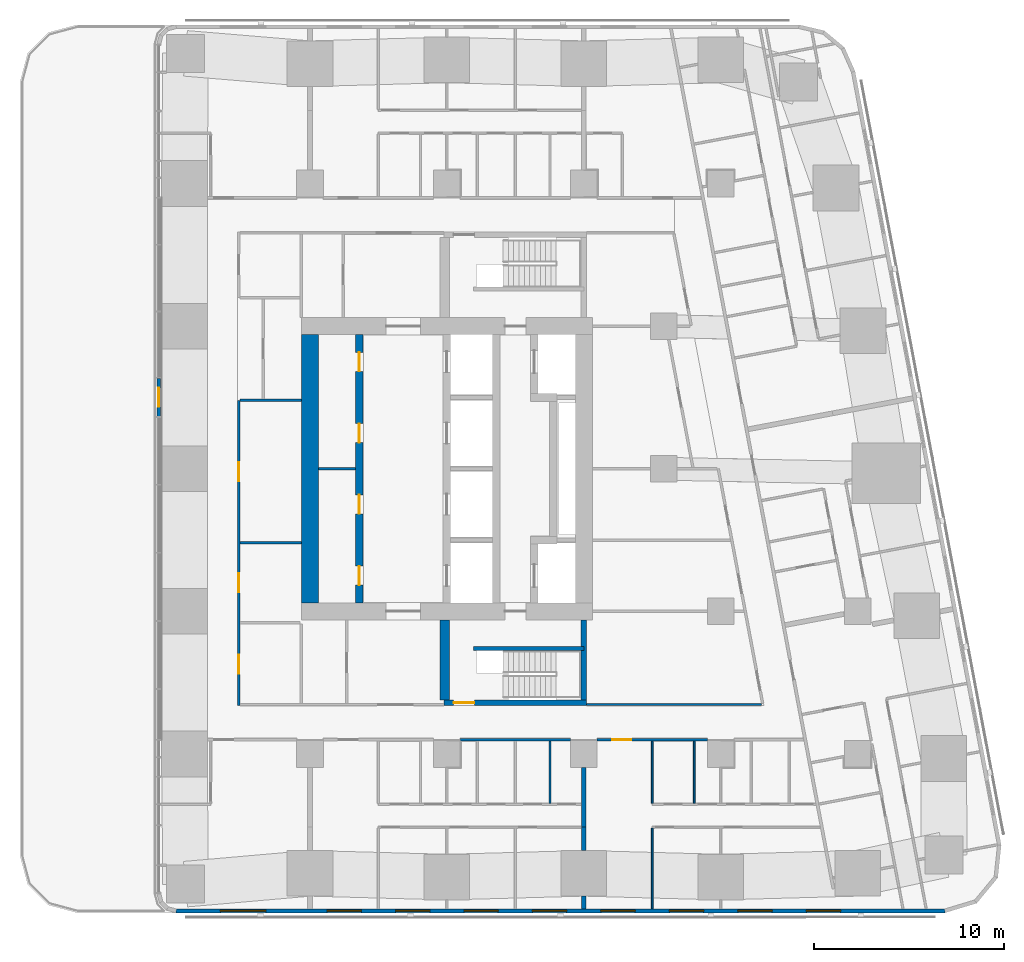
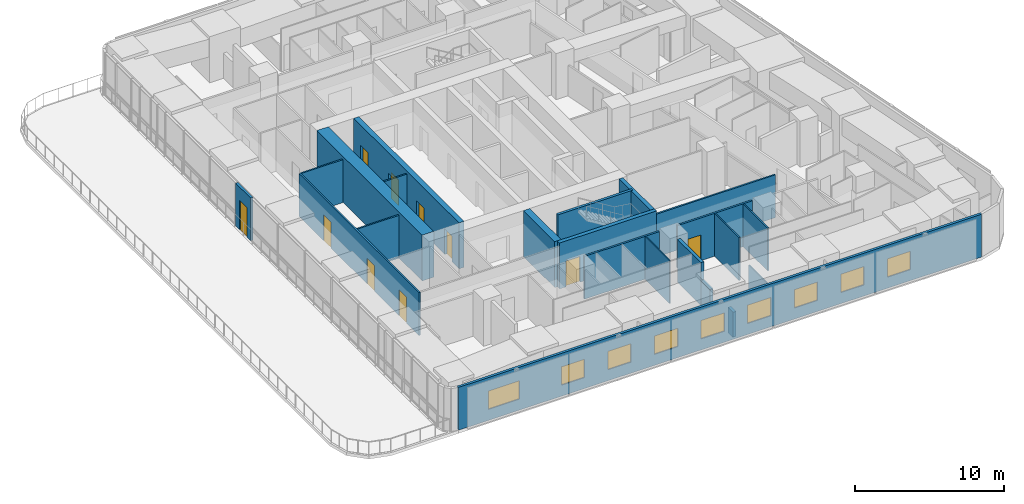
# One storey, part 8 of 17: 22 walls, 10 doors, 9 windows, 19 openings.
"""IFC4 building model written with IfcOpenShell, lengths in metres."""

from ifc_helpers import new_model, si_unit, direction, frame, frame_2d, origin, place, context, subcontext, project, spatial, rectangle, extrude, material, layer, layer_set, type_object, element, fill, save


model = new_model("IFC4")

# Units and contexts
model_context = context("Model", 3, precision=1e-05, world=origin(), true_north=direction((0.0, 1.0)))
body_context = subcontext(model_context, "Body", "Model", "MODEL_VIEW")
ifc_project = project(units=[si_unit("LENGTHUNIT", "METRE"), si_unit("AREAUNIT", "SQUARE_METRE"), si_unit("VOLUMEUNIT", "CUBIC_METRE"), si_unit("PLANEANGLEUNIT", "RADIAN"), si_unit("MASSUNIT", "GRAM", prefix="KILO")], contexts=[model_context])

# Site, building, storey
site_placement = place(None, origin())
site = spatial("IfcSite", under=ifc_project, at=site_placement, CompositionType="ELEMENT")
building_placement = place(site_placement, origin())
building = spatial("IfcBuilding", under=site, at=building_placement, Name="Sheger Commons Tower", CompositionType="ELEMENT")
storey_placement = place(building_placement, frame((0.0, 0.0, 193.699951171875)))
storey = spatial("IfcBuildingStorey", under=building, at=storey_placement, Name="L49", CompositionType="ELEMENT", Elevation=193.699951171875)

# Wall, openings, doors
ifc_material_1 = material(Name="Concrete C50/60", Category="concrete")
ifc_layer_1 = layer(ifc_material_1, 0.39990234375)
ifc_layer_set_1 = layer_set([ifc_layer_1], Name="CORE INNER WALL 400")
wall_type_1 = type_object("IfcWallType", Name="CORE INNER WALL 400", PredefinedType="SHEAR", material=ifc_layer_set_1)
wall_1_placement = place(storey_placement, frame((17.0, 15.449951171875, 0.0), z_axis=(0.0, 0.0, 1.0), x_axis=(0.0, 1.0, 0.0)))
wall_1 = element("IfcWall", 1, at=wall_1_placement, inside=storey, type_object=wall_type_1, Name="Core inner wall A L49", PredefinedType="SHEAR", context=body_context, shape_type="SweptSolid", body=[
    extrude(rectangle(XDim=14.10009765625, YDim=0.39990234375, at=frame_2d((7.050048828125, 0.0))), origin(), (0.0, 0.0, 1.0), 3.75),
])
opening_1_placement = place(wall_1_placement, frame((0.925048828125, 0.0, 0.0)))
opening_1 = element("IfcOpeningElement", 2, at=opening_1_placement, cuts=wall_1, Name="Opening D4", PredefinedType="OPENING", context=body_context, shape_type="SweptSolid", body=[
    extrude(rectangle(XDim=1.0, YDim=2.10009765625, at=frame_2d((0.5, 1.050048828125))), frame((0.0, 0.2099609375, 0.0), z_axis=(0.0, -1.0, 0.0), x_axis=(1.0, 0.0, 0.0)), (0.0, 0.0, 1.0), 0.419921875),
])
opening_2_placement = place(wall_1_placement, frame((4.675048828125, 0.0, 0.0)))
opening_2 = element("IfcOpeningElement", 3, at=opening_2_placement, cuts=wall_1, Name="Opening D4", PredefinedType="OPENING", context=body_context, shape_type="SweptSolid", body=[
    extrude(rectangle(XDim=1.0, YDim=2.10009765625, at=frame_2d((0.5, 1.050048828125))), frame((0.0, 0.2099609375, 0.0), z_axis=(0.0, -1.0, 0.0), x_axis=(1.0, 0.0, 0.0)), (0.0, 0.0, 1.0), 0.419921875),
])
opening_3_placement = place(wall_1_placement, frame((8.425048828125, 0.0, 0.0)))
opening_3 = element("IfcOpeningElement", 4, at=opening_3_placement, cuts=wall_1, Name="Opening D4", PredefinedType="OPENING", context=body_context, shape_type="SweptSolid", body=[
    extrude(rectangle(XDim=1.0, YDim=2.10009765625, at=frame_2d((0.5, 1.050048828125))), frame((0.0, 0.2099609375, 0.0), z_axis=(0.0, -1.0, 0.0), x_axis=(1.0, 0.0, 0.0)), (0.0, 0.0, 1.0), 0.419921875),
])
opening_4_placement = place(wall_1_placement, frame((12.175048828125, 0.0, 0.0)))
opening_4 = element("IfcOpeningElement", 5, at=opening_4_placement, cuts=wall_1, Name="Opening D4", PredefinedType="OPENING", context=body_context, shape_type="SweptSolid", body=[
    extrude(rectangle(XDim=1.0, YDim=2.10009765625, at=frame_2d((0.5, 1.050048828125))), frame((0.0, 0.2099609375, 0.0), z_axis=(0.0, -1.0, 0.0), x_axis=(1.0, 0.0, 0.0)), (0.0, 0.0, 1.0), 0.419921875),
])
ifc_material_2 = material(Name="Steel door set, fire rated", Category="steel")
door_type_1 = type_object("IfcDoorType", Name="SERVICE DOOR 1000x2100", OperationType="NOTDEFINED", PredefinedType="DOOR", material=ifc_material_2)
door_1_placement = place(opening_1_placement, origin())
door_1 = element("IfcDoor", 6, at=door_1_placement, inside=storey, type_object=door_type_1, Name="Residents' bulky goods store door", OperationType="SINGLE_SWING_LEFT", OverallHeight=2.10009765625, OverallWidth=1.0, PredefinedType="DOOR", context=body_context, shape_type="SweptSolid", body=[
    extrude(rectangle(XDim=1.0, YDim=2.10009765625, at=frame_2d((0.5, 1.050048828125))), frame((0.0, 0.02490234375, 0.0), z_axis=(0.0, -1.0, 0.0), x_axis=(1.0, 0.0, 0.0)), (0.0, 0.0, 1.0), 0.050048828125),
])
fill(opening_1, door_1)
door_2_placement = place(opening_2_placement, origin())
door_2 = element("IfcDoor", 7, at=door_2_placement, inside=storey, type_object=door_type_1, Name="Residents' bulky goods store door", OperationType="SINGLE_SWING_RIGHT", OverallHeight=2.10009765625, OverallWidth=1.0, PredefinedType="DOOR", context=body_context, shape_type="SweptSolid", body=[
    extrude(rectangle(XDim=1.0, YDim=2.10009765625, at=frame_2d((0.5, 1.050048828125))), frame((0.0, 0.02490234375, 0.0), z_axis=(0.0, -1.0, 0.0), x_axis=(1.0, 0.0, 0.0)), (0.0, 0.0, 1.0), 0.050048828125),
])
fill(opening_2, door_2)
door_3_placement = place(opening_3_placement, origin())
door_3 = element("IfcDoor", 8, at=door_3_placement, inside=storey, type_object=door_type_1, Name="Maintenance workshop door", OperationType="SINGLE_SWING_LEFT", OverallHeight=2.10009765625, OverallWidth=1.0, PredefinedType="DOOR", context=body_context, shape_type="SweptSolid", body=[
    extrude(rectangle(XDim=1.0, YDim=2.10009765625, at=frame_2d((0.5, 1.050048828125))), frame((0.0, 0.02490234375, 0.0), z_axis=(0.0, -1.0, 0.0), x_axis=(1.0, 0.0, 0.0)), (0.0, 0.0, 1.0), 0.050048828125),
])
fill(opening_3, door_3)
door_4_placement = place(opening_4_placement, origin())
door_4 = element("IfcDoor", 9, at=door_4_placement, inside=storey, type_object=door_type_1, Name="Maintenance workshop door", OperationType="SINGLE_SWING_RIGHT", OverallHeight=2.10009765625, OverallWidth=1.0, PredefinedType="DOOR", context=body_context, shape_type="SweptSolid", body=[
    extrude(rectangle(XDim=1.0, YDim=2.10009765625, at=frame_2d((0.5, 1.050048828125))), frame((0.0, 0.02490234375, 0.0), z_axis=(0.0, -1.0, 0.0), x_axis=(1.0, 0.0, 0.0)), (0.0, 0.0, 1.0), 0.050048828125),
])
fill(opening_4, door_4)

# Wall
ifc_material_3 = material(Name="Concrete C50/60", Category="concrete")
ifc_layer_2 = layer(ifc_material_3, 0.89990234375)
ifc_layer_set_2 = layer_set([ifc_layer_2], Name="CORE WALL 900")
wall_type_2 = type_object("IfcWallType", Name="CORE WALL 900", PredefinedType="SHEAR", material=ifc_layer_set_2)
wall_2_placement = place(storey_placement, frame((14.39990234375, 15.449951171875, 0.0), z_axis=(0.0, 0.0, 1.0), x_axis=(0.0, 1.0, 0.0)))
element("IfcWall", 10, at=wall_2_placement, inside=storey, type_object=wall_type_2, Name="Core wall west L49", PredefinedType="SHEAR", context=body_context, shape_type="SweptSolid", body=[
    extrude(rectangle(XDim=14.10009765625, YDim=0.89990234375, at=frame_2d((7.050048828125, 0.0))), origin(), (0.0, 0.0, 1.0), 3.75),
])

# Wall, opening, door
ifc_material_4 = material(Name="Hollow concrete block masonry, skimmed both sides", Category="masonry")
ifc_layer_3 = layer(ifc_material_4, 0.14990234375)
ifc_layer_set_3 = layer_set([ifc_layer_3], Name="CORRIDOR WALL 150")
wall_type_3 = type_object("IfcWallType", Name="CORRIDOR WALL 150", PredefinedType="SOLIDWALL", material=ifc_layer_set_3)
wall_3_placement = place(storey_placement, frame((35.299072265625, 8.25, 0.0), z_axis=(0.0, 0.0, 1.0), x_axis=(-1.0, 0.0, 0.0)))
wall_3 = element("IfcWall", 11, at=wall_3_placement, inside=storey, type_object=wall_type_3, Name="Corridor wall L49", PredefinedType="SOLIDWALL", context=body_context, shape_type="SweptSolid", body=[
    extrude(rectangle(XDim=5.798095703125, YDim=0.14990234375, at=frame_2d((2.89892578125, 0.0))), origin(), (0.0, 0.0, 1.0), 3.5),
])
opening_5_placement = place(wall_3_placement, frame((3.9990234375, 0.0, 0.0)))
opening_5 = element("IfcOpeningElement", 12, at=opening_5_placement, cuts=wall_3, Name="Opening D1", PredefinedType="OPENING", context=body_context, shape_type="SweptSolid", body=[
    extrude(rectangle(XDim=1.0, YDim=2.10009765625, at=frame_2d((0.5, 1.050048828125))), frame((0.0, 0.0849609375, 0.0), z_axis=(0.0, -1.0, 0.0), x_axis=(1.0, 0.0, 0.0)), (0.0, 0.0, 1.0), 0.169921875),
])
ifc_material_5 = material(Name="Steel door set, fire rated", Category="steel")
door_type_2 = type_object("IfcDoorType", Name="FLAT ENTRANCE DOOR 1000x2100", OperationType="NOTDEFINED", PredefinedType="DOOR", material=ifc_material_5)
door_5_placement = place(opening_5_placement, origin())
door_5 = element("IfcDoor", 13, at=door_5_placement, inside=storey, type_object=door_type_2, Name="Flat entrance door", OperationType="SINGLE_SWING_RIGHT", OverallHeight=2.10009765625, OverallWidth=1.0, PredefinedType="DOOR", context=body_context, shape_type="SweptSolid", body=[
    extrude(rectangle(XDim=1.0, YDim=2.10009765625, at=frame_2d((0.5, 1.050048828125))), frame((0.0, 0.02490234375, 0.0), z_axis=(0.0, -1.0, 0.0), x_axis=(1.0, 0.0, 0.0)), (0.0, 0.0, 1.0), 0.050048828125),
])
fill(opening_5, door_5)

# Walls
wall_4_placement = place(storey_placement, frame((28.09912109375, 8.25, 0.0), z_axis=(0.0, 0.0, 1.0), x_axis=(-1.0, 0.0, 0.0)))
element("IfcWall", 14, at=wall_4_placement, inside=storey, type_object=wall_type_3, Name="Corridor wall L49", PredefinedType="SOLIDWALL", context=body_context, shape_type="SweptSolid", body=[
    extrude(rectangle(XDim=5.798095703125, YDim=0.14990234375, at=frame_2d((2.89892578125, 0.0))), origin(), (0.0, 0.0, 1.0), 3.5),
])
ifc_material_6 = material(Name="Dense concrete block masonry, plastered both sides (separating wall between flats)", Category="masonry")
ifc_layer_4 = layer(ifc_material_6, 0.25)
ifc_layer_set_4 = layer_set([ifc_layer_4], Name="DEMISING WALL 250")
wall_type_4 = type_object("IfcWallType", Name="DEMISING WALL 250", PredefinedType="SOLIDWALL", material=ifc_layer_set_4)
wall_5_placement = place(storey_placement, frame((28.800048828125, -0.64990234375, 0.0), z_axis=(0.0, 0.0, 1.0), x_axis=(0.0, 1.0, 0.0)))
element("IfcWall", 15, at=wall_5_placement, inside=storey, type_object=wall_type_4, Name="Demising wall L49", PredefinedType="SOLIDWALL", context=body_context, shape_type="SweptSolid", body=[
    extrude(rectangle(XDim=0.673828125, YDim=0.25, at=frame_2d((0.3369140625, 0.0))), origin(), (0.0, 0.0, 1.0), 2.050048828125),
])
wall_6_placement = place(storey_placement, frame((28.800048828125, 2.426025390625, 0.0), z_axis=(0.0, 0.0, 1.0), x_axis=(0.0, 1.0, 0.0)))
element("IfcWall", 16, at=wall_6_placement, inside=storey, type_object=wall_type_4, Name="Demising wall L49", PredefinedType="SOLIDWALL", context=body_context, shape_type="SweptSolid", body=[
    extrude(rectangle(XDim=1.223876953125, YDim=0.25, at=frame_2d((0.61181640625, 0.0))), origin(), (0.0, 0.0, 1.0), 2.050048828125),
])
wall_7_placement = place(storey_placement, frame((28.800048828125, 3.64990234375, 0.0), z_axis=(0.0, 0.0, 1.0), x_axis=(0.0, 1.0, 0.0)))
element("IfcWall", 17, at=wall_7_placement, inside=storey, type_object=wall_type_4, Name="Demising wall L49", PredefinedType="SOLIDWALL", context=body_context, shape_type="SweptSolid", body=[
    extrude(rectangle(XDim=3.149169921875, YDim=0.25, at=frame_2d((1.57470703125, 0.0))), origin(), (0.0, 0.0, 1.0), 3.5),
])

# Wall, openings, windows
ifc_material_7 = material(Name="Rendered concrete block masonry, dark grey", Category="masonry")
ifc_layer_5 = layer(ifc_material_7, 0.199951171875)
ifc_layer_set_5 = layer_set([ifc_layer_5], Name="FACADE WALL 200")
wall_type_5 = type_object("IfcWallType", Name="FACADE WALL 200", PredefinedType="SOLIDWALL", material=ifc_layer_set_5)
wall_8_placement = place(storey_placement, frame((7.363037109375, -0.75, 0.0), z_axis=(0.0, 0.0, 1.0), x_axis=(1.0, 0.0, 0.0)))
wall_8 = element("IfcWall", 18, at=wall_8_placement, inside=storey, type_object=wall_type_5, Name="Facade wall L49", PredefinedType="SOLIDWALL", context=body_context, shape_type="SweptSolid", body=[
    extrude(rectangle(XDim=40.427978515625, YDim=0.199951171875, at=frame_2d((20.2138671875, 0.0))), origin(), (0.0, 0.0, 1.0), 3.5),
])
opening_6_placement = place(wall_8_placement, frame((2.319091796875, 0.0, 0.89990234375)))
opening_6 = element("IfcOpeningElement", 19, at=opening_6_placement, cuts=wall_8, Name="Opening W1", PredefinedType="OPENING", context=body_context, shape_type="SweptSolid", body=[
    extrude(rectangle(XDim=2.39990234375, YDim=1.5, at=frame_2d((1.199951171875, 0.75))), frame((0.0, 0.10986328125, 0.0), z_axis=(0.0, -1.0, 0.0), x_axis=(1.0, 0.0, 0.0)), (0.0, 0.0, 1.0), 0.219970703125),
])
opening_7_placement = place(wall_8_placement, frame((7.93701171875, 0.0, 0.89990234375)))
opening_7 = element("IfcOpeningElement", 20, at=opening_7_placement, cuts=wall_8, Name="Opening W2", PredefinedType="OPENING", context=body_context, shape_type="SweptSolid", body=[
    extrude(rectangle(XDim=1.800048828125, YDim=1.5, at=frame_2d((0.89990234375, 0.75))), frame((0.0, 0.10986328125, 0.0), z_axis=(0.0, -1.0, 0.0), x_axis=(1.0, 0.0, 0.0)), (0.0, 0.0, 1.0), 0.219970703125),
])
opening_8_placement = place(wall_8_placement, frame((11.537109375, 0.0, 0.89990234375)))
opening_8 = element("IfcOpeningElement", 21, at=opening_8_placement, cuts=wall_8, Name="Opening W2", PredefinedType="OPENING", context=body_context, shape_type="SweptSolid", body=[
    extrude(rectangle(XDim=1.800048828125, YDim=1.5, at=frame_2d((0.89990234375, 0.75))), frame((0.0, 0.10986328125, 0.0), z_axis=(0.0, -1.0, 0.0), x_axis=(1.0, 0.0, 0.0)), (0.0, 0.0, 1.0), 0.219970703125),
])
opening_9_placement = place(wall_8_placement, frame((15.136962890625, 0.0, 0.89990234375)))
opening_9 = element("IfcOpeningElement", 22, at=opening_9_placement, cuts=wall_8, Name="Opening W2", PredefinedType="OPENING", context=body_context, shape_type="SweptSolid", body=[
    extrude(rectangle(XDim=1.800048828125, YDim=1.5, at=frame_2d((0.89990234375, 0.75))), frame((0.0, 0.10986328125, 0.0), z_axis=(0.0, -1.0, 0.0), x_axis=(1.0, 0.0, 0.0)), (0.0, 0.0, 1.0), 0.219970703125),
])
opening_10_placement = place(wall_8_placement, frame((18.737060546875, 0.0, 0.89990234375)))
opening_10 = element("IfcOpeningElement", 23, at=opening_10_placement, cuts=wall_8, Name="Opening W2", PredefinedType="OPENING", context=body_context, shape_type="SweptSolid", body=[
    extrude(rectangle(XDim=1.800048828125, YDim=1.5, at=frame_2d((0.89990234375, 0.75))), frame((0.0, 0.10986328125, 0.0), z_axis=(0.0, -1.0, 0.0), x_axis=(1.0, 0.0, 0.0)), (0.0, 0.0, 1.0), 0.219970703125),
])
opening_11_placement = place(wall_8_placement, frame((22.3369140625, 0.0, 0.89990234375)))
opening_11 = element("IfcOpeningElement", 24, at=opening_11_placement, cuts=wall_8, Name="Opening W2", PredefinedType="OPENING", context=body_context, shape_type="SweptSolid", body=[
    extrude(rectangle(XDim=1.800048828125, YDim=1.5, at=frame_2d((0.89990234375, 0.75))), frame((0.0, 0.10986328125, 0.0), z_axis=(0.0, -1.0, 0.0), x_axis=(1.0, 0.0, 0.0)), (0.0, 0.0, 1.0), 0.219970703125),
])
opening_12_placement = place(wall_8_placement, frame((25.93701171875, 0.0, 0.89990234375)))
opening_12 = element("IfcOpeningElement", 25, at=opening_12_placement, cuts=wall_8, Name="Opening W2", PredefinedType="OPENING", context=body_context, shape_type="SweptSolid", body=[
    extrude(rectangle(XDim=1.800048828125, YDim=1.5, at=frame_2d((0.89990234375, 0.75))), frame((0.0, 0.10986328125, 0.0), z_axis=(0.0, -1.0, 0.0), x_axis=(1.0, 0.0, 0.0)), (0.0, 0.0, 1.0), 0.219970703125),
])
opening_13_placement = place(wall_8_placement, frame((29.537109375, 0.0, 0.89990234375)))
opening_13 = element("IfcOpeningElement", 26, at=opening_13_placement, cuts=wall_8, Name="Opening W2", PredefinedType="OPENING", context=body_context, shape_type="SweptSolid", body=[
    extrude(rectangle(XDim=1.800048828125, YDim=1.5, at=frame_2d((0.89990234375, 0.75))), frame((0.0, 0.10986328125, 0.0), z_axis=(0.0, -1.0, 0.0), x_axis=(1.0, 0.0, 0.0)), (0.0, 0.0, 1.0), 0.219970703125),
])
opening_14_placement = place(wall_8_placement, frame((33.136962890625, 0.0, 0.89990234375)))
opening_14 = element("IfcOpeningElement", 27, at=opening_14_placement, cuts=wall_8, Name="Opening W2", PredefinedType="OPENING", context=body_context, shape_type="SweptSolid", body=[
    extrude(rectangle(XDim=1.800048828125, YDim=1.5, at=frame_2d((0.89990234375, 0.75))), frame((0.0, 0.10986328125, 0.0), z_axis=(0.0, -1.0, 0.0), x_axis=(1.0, 0.0, 0.0)), (0.0, 0.0, 1.0), 0.219970703125),
])
ifc_material_8 = material(Name="Black aluminium frame, dark tinted double glazing", Category="aluminium")
window_type_1 = type_object("IfcWindowType", Name="WINDOW W1 2400x1500", PartitioningType="SINGLE_PANEL", PredefinedType="WINDOW", material=ifc_material_8)
window_1_placement = place(opening_6_placement, origin())
window_1 = element("IfcWindow", 28, at=window_1_placement, inside=storey, type_object=window_type_1, Name="Window W1 2400X1500", OverallHeight=1.5, OverallWidth=2.39990234375, PartitioningType="SINGLE_PANEL", PredefinedType="WINDOW", context=body_context, shape_type="SweptSolid", body=[
    extrude(rectangle(XDim=2.39990234375, YDim=1.5, at=frame_2d((1.199951171875, 0.75))), frame((0.0, 0.030029296875, 0.0), z_axis=(0.0, -1.0, 0.0), x_axis=(1.0, 0.0, 0.0)), (0.0, 0.0, 1.0), 0.06005859375),
])
fill(opening_6, window_1)
ifc_material_9 = material(Name="Black aluminium frame, dark tinted double glazing", Category="aluminium")
window_type_2 = type_object("IfcWindowType", Name="WINDOW W2 1800x1500", PartitioningType="SINGLE_PANEL", PredefinedType="WINDOW", material=ifc_material_9)
window_2_placement = place(opening_7_placement, origin())
window_2 = element("IfcWindow", 29, at=window_2_placement, inside=storey, type_object=window_type_2, Name="Window W2 1800X1500", OverallHeight=1.5, OverallWidth=1.800048828125, PartitioningType="SINGLE_PANEL", PredefinedType="WINDOW", context=body_context, shape_type="SweptSolid", body=[
    extrude(rectangle(XDim=1.800048828125, YDim=1.5, at=frame_2d((0.89990234375, 0.75))), frame((0.0, 0.030029296875, 0.0), z_axis=(0.0, -1.0, 0.0), x_axis=(1.0, 0.0, 0.0)), (0.0, 0.0, 1.0), 0.06005859375),
])
fill(opening_7, window_2)
window_3_placement = place(opening_8_placement, origin())
window_3 = element("IfcWindow", 30, at=window_3_placement, inside=storey, type_object=window_type_2, Name="Window W2 1800X1500", OverallHeight=1.5, OverallWidth=1.800048828125, PartitioningType="SINGLE_PANEL", PredefinedType="WINDOW", context=body_context, shape_type="SweptSolid", body=[
    extrude(rectangle(XDim=1.800048828125, YDim=1.5, at=frame_2d((0.89990234375, 0.75))), frame((0.0, 0.030029296875, 0.0), z_axis=(0.0, -1.0, 0.0), x_axis=(1.0, 0.0, 0.0)), (0.0, 0.0, 1.0), 0.06005859375),
])
fill(opening_8, window_3)
window_4_placement = place(opening_9_placement, origin())
window_4 = element("IfcWindow", 31, at=window_4_placement, inside=storey, type_object=window_type_2, Name="Window W2 1800X1500", OverallHeight=1.5, OverallWidth=1.800048828125, PartitioningType="SINGLE_PANEL", PredefinedType="WINDOW", context=body_context, shape_type="SweptSolid", body=[
    extrude(rectangle(XDim=1.800048828125, YDim=1.5, at=frame_2d((0.89990234375, 0.75))), frame((0.0, 0.030029296875, 0.0), z_axis=(0.0, -1.0, 0.0), x_axis=(1.0, 0.0, 0.0)), (0.0, 0.0, 1.0), 0.06005859375),
])
fill(opening_9, window_4)
window_5_placement = place(opening_10_placement, origin())
window_5 = element("IfcWindow", 32, at=window_5_placement, inside=storey, type_object=window_type_2, Name="Window W2 1800X1500", OverallHeight=1.5, OverallWidth=1.800048828125, PartitioningType="SINGLE_PANEL", PredefinedType="WINDOW", context=body_context, shape_type="SweptSolid", body=[
    extrude(rectangle(XDim=1.800048828125, YDim=1.5, at=frame_2d((0.89990234375, 0.75))), frame((0.0, 0.030029296875, 0.0), z_axis=(0.0, -1.0, 0.0), x_axis=(1.0, 0.0, 0.0)), (0.0, 0.0, 1.0), 0.06005859375),
])
fill(opening_10, window_5)
window_6_placement = place(opening_11_placement, origin())
window_6 = element("IfcWindow", 33, at=window_6_placement, inside=storey, type_object=window_type_2, Name="Window W2 1800X1500", OverallHeight=1.5, OverallWidth=1.800048828125, PartitioningType="SINGLE_PANEL", PredefinedType="WINDOW", context=body_context, shape_type="SweptSolid", body=[
    extrude(rectangle(XDim=1.800048828125, YDim=1.5, at=frame_2d((0.89990234375, 0.75))), frame((0.0, 0.030029296875, 0.0), z_axis=(0.0, -1.0, 0.0), x_axis=(1.0, 0.0, 0.0)), (0.0, 0.0, 1.0), 0.06005859375),
])
fill(opening_11, window_6)
window_7_placement = place(opening_12_placement, origin())
window_7 = element("IfcWindow", 34, at=window_7_placement, inside=storey, type_object=window_type_2, Name="Window W2 1800X1500", OverallHeight=1.5, OverallWidth=1.800048828125, PartitioningType="SINGLE_PANEL", PredefinedType="WINDOW", context=body_context, shape_type="SweptSolid", body=[
    extrude(rectangle(XDim=1.800048828125, YDim=1.5, at=frame_2d((0.89990234375, 0.75))), frame((0.0, 0.030029296875, 0.0), z_axis=(0.0, -1.0, 0.0), x_axis=(1.0, 0.0, 0.0)), (0.0, 0.0, 1.0), 0.06005859375),
])
fill(opening_12, window_7)
window_8_placement = place(opening_13_placement, origin())
window_8 = element("IfcWindow", 35, at=window_8_placement, inside=storey, type_object=window_type_2, Name="Window W2 1800X1500", OverallHeight=1.5, OverallWidth=1.800048828125, PartitioningType="SINGLE_PANEL", PredefinedType="WINDOW", context=body_context, shape_type="SweptSolid", body=[
    extrude(rectangle(XDim=1.800048828125, YDim=1.5, at=frame_2d((0.89990234375, 0.75))), frame((0.0, 0.030029296875, 0.0), z_axis=(0.0, -1.0, 0.0), x_axis=(1.0, 0.0, 0.0)), (0.0, 0.0, 1.0), 0.06005859375),
])
fill(opening_13, window_8)
window_9_placement = place(opening_14_placement, origin())
window_9 = element("IfcWindow", 36, at=window_9_placement, inside=storey, type_object=window_type_2, Name="Window W2 1800X1500", OverallHeight=1.5, OverallWidth=1.800048828125, PartitioningType="SINGLE_PANEL", PredefinedType="WINDOW", context=body_context, shape_type="SweptSolid", body=[
    extrude(rectangle(XDim=1.800048828125, YDim=1.5, at=frame_2d((0.89990234375, 0.75))), frame((0.0, 0.030029296875, 0.0), z_axis=(0.0, -1.0, 0.0), x_axis=(1.0, 0.0, 0.0)), (0.0, 0.0, 1.0), 0.06005859375),
])
fill(opening_14, window_9)

# Wall, opening, door
wall_9_placement = place(storey_placement, frame((6.449951171875, 27.25, 0.0), z_axis=(0.0, 0.0, 1.0), x_axis=(0.0, -1.0, 0.0)))
wall_9 = element("IfcWall", 37, at=wall_9_placement, inside=storey, type_object=wall_type_5, Name="Terrace door wall L49", PredefinedType="SOLIDWALL", context=body_context, shape_type="SweptSolid", body=[
    extrude(rectangle(XDim=2.0, YDim=0.199951171875, at=frame_2d((1.0, 0.0))), origin(), (0.0, 0.0, 1.0), 3.5),
])
opening_15_placement = place(wall_9_placement, frame((0.5, 0.0, 0.0)))
opening_15 = element("IfcOpeningElement", 38, at=opening_15_placement, cuts=wall_9, Name="Opening DT1", PredefinedType="OPENING", context=body_context, shape_type="SweptSolid", body=[
    extrude(rectangle(XDim=1.0, YDim=2.39990234375, at=frame_2d((0.5, 1.199951171875))), frame((0.0, 0.10986328125, 0.0), z_axis=(0.0, -1.0, 0.0), x_axis=(1.0, 0.0, 0.0)), (0.0, 0.0, 1.0), 0.219970703125),
])
ifc_material_10 = material(Name="Black aluminium frame, dark tinted glazing", Category="aluminium")
door_type_3 = type_object("IfcDoorType", Name="TERRACE DOOR 1000x2400", OperationType="SINGLE_SWING_RIGHT", PredefinedType="DOOR", material=ifc_material_10)
door_6_placement = place(opening_15_placement, origin())
door_6 = element("IfcDoor", 39, at=door_6_placement, inside=storey, type_object=door_type_3, Name="Terrace door", OperationType="SINGLE_SWING_RIGHT", OverallHeight=2.39990234375, OverallWidth=1.0, PredefinedType="DOOR", context=body_context, shape_type="SweptSolid", body=[
    extrude(rectangle(XDim=1.0, YDim=2.39990234375, at=frame_2d((0.5, 1.199951171875))), frame((0.0, 0.02490234375, 0.0), z_axis=(0.0, -1.0, 0.0), x_axis=(1.0, 0.0, 0.0)), (0.0, 0.0, 1.0), 0.050048828125),
])
fill(opening_15, door_6)

# Walls
ifc_material_11 = material(Name="Gypsum board on steel studs", Category="steel")
ifc_layer_6 = layer(ifc_material_11, 0.10009765625)
ifc_layer_set_6 = layer_set([ifc_layer_6], Name="PARTITION 100")
wall_type_6 = type_object("IfcWallType", Name="PARTITION 100", PredefinedType="PARTITIONING", material=ifc_layer_set_6)
wall_10_placement = place(storey_placement, frame((27.02001953125, 4.89990234375, 0.0), z_axis=(0.0, 0.0, 1.0), x_axis=(0.0, 1.0, 0.0)))
element("IfcWall", 40, at=wall_10_placement, inside=storey, type_object=wall_type_6, Name="Partition L49", PredefinedType="PARTITIONING", context=body_context, shape_type="SweptSolid", body=[
    extrude(rectangle(XDim=3.275146484375, YDim=0.10009765625, at=frame_2d((1.6376953125, 0.0))), origin(), (0.0, 0.0, 1.0), 3.5),
])
wall_11_placement = place(storey_placement, frame((32.39990234375, -0.64990234375, 0.0), z_axis=(0.0, 0.0, 1.0), x_axis=(0.0, 1.0, 0.0)))
element("IfcWall", 41, at=wall_11_placement, inside=storey, type_object=wall_type_6, Name="Partition L49", PredefinedType="PARTITIONING", context=body_context, shape_type="SweptSolid", body=[
    extrude(rectangle(XDim=4.25, YDim=0.10009765625, at=frame_2d((2.125, 0.0))), origin(), (0.0, 0.0, 1.0), 2.050048828125),
])
for number, where, z_axis, x_axis, name in (
    (42, (32.39990234375, 4.89990234375, 0.0), (0.0, 0.0, 1.0), (0.0, 1.0, 0.0), "Partition L49"),
    (43, (34.610107421875, 4.89990234375, 0.0), (0.0, 0.0, 1.0), (0.0, 1.0, 0.0), "Partition L49"),
):
    element("IfcWall", number, at=place(storey_placement, frame(where, z_axis=z_axis, x_axis=x_axis)), inside=storey, type_object=wall_type_6, Name=name, PredefinedType="PARTITIONING", context=body_context, shape_type="SweptSolid", body=[
        extrude(rectangle(XDim=3.275146484375, YDim=0.10009765625, at=frame_2d((1.6376953125, 0.0))), origin(), (0.0, 0.0, 1.0), 3.5),
    ])

# Wall, openings, doors
ifc_material_12 = material(Name="Gypsum board on steel studs, two layers each side, fire rated", Category="steel")
ifc_layer_7 = layer(ifc_material_12, 0.125)
ifc_layer_set_7 = layer_set([ifc_layer_7], Name="SERVICE WALL 125")
wall_type_7 = type_object("IfcWallType", Name="SERVICE WALL 125", PredefinedType="PARTITIONING", material=ifc_layer_set_7)
wall_12_placement = place(storey_placement, frame((10.64990234375, 10.050048828125, 0.0), z_axis=(0.0, 0.0, 1.0), x_axis=(0.0, 1.0, 0.0)))
wall_12 = element("IfcWall", 44, at=wall_12_placement, inside=storey, type_object=wall_type_7, Name="Service room wall L49", PredefinedType="PARTITIONING", context=body_context, shape_type="SweptSolid", body=[
    extrude(rectangle(XDim=16.050048828125, YDim=0.125, at=frame_2d((8.02490234375, 0.0))), origin(), (0.0, 0.0, 1.0), 3.5),
])
opening_16_placement = place(wall_12_placement, frame((1.675048828125, 0.0, 0.0)))
opening_16 = element("IfcOpeningElement", 45, at=opening_16_placement, cuts=wall_12, Name="Opening D4", PredefinedType="OPENING", context=body_context, shape_type="SweptSolid", body=[
    extrude(rectangle(XDim=1.0, YDim=2.10009765625, at=frame_2d((0.5, 1.050048828125))), frame((0.0, 0.072509765625, 0.0), z_axis=(0.0, -1.0, 0.0), x_axis=(1.0, 0.0, 0.0)), (0.0, 0.0, 1.0), 0.14501953125),
])
opening_17_placement = place(wall_12_placement, frame((5.949951171875, 0.0, 0.0)))
opening_17 = element("IfcOpeningElement", 46, at=opening_17_placement, cuts=wall_12, Name="Opening D4", PredefinedType="OPENING", context=body_context, shape_type="SweptSolid", body=[
    extrude(rectangle(XDim=1.0, YDim=2.10009765625, at=frame_2d((0.5, 1.050048828125))), frame((0.0, 0.072509765625, 0.0), z_axis=(0.0, -1.0, 0.0), x_axis=(1.0, 0.0, 0.0)), (0.0, 0.0, 1.0), 0.14501953125),
])
opening_18_placement = place(wall_12_placement, frame((11.800048828125, 0.0, 0.0)))
opening_18 = element("IfcOpeningElement", 47, at=opening_18_placement, cuts=wall_12, Name="Opening D4", PredefinedType="OPENING", context=body_context, shape_type="SweptSolid", body=[
    extrude(rectangle(XDim=1.0, YDim=2.10009765625, at=frame_2d((0.5, 1.050048828125))), frame((0.0, 0.072509765625, 0.0), z_axis=(0.0, -1.0, 0.0), x_axis=(1.0, 0.0, 0.0)), (0.0, 0.0, 1.0), 0.14501953125),
])
door_7_placement = place(opening_16_placement, origin())
door_7 = element("IfcDoor", 48, at=door_7_placement, inside=storey, type_object=door_type_1, Name="Refuse chute room door", OperationType="SINGLE_SWING_RIGHT", OverallHeight=2.10009765625, OverallWidth=1.0, PredefinedType="DOOR", context=body_context, shape_type="SweptSolid", body=[
    extrude(rectangle(XDim=1.0, YDim=2.10009765625, at=frame_2d((0.5, 1.050048828125))), frame((0.0, 0.02490234375, 0.0), z_axis=(0.0, -1.0, 0.0), x_axis=(1.0, 0.0, 0.0)), (0.0, 0.0, 1.0), 0.050048828125),
])
fill(opening_16, door_7)
door_8_placement = place(opening_17_placement, origin())
door_8 = element("IfcDoor", 49, at=door_8_placement, inside=storey, type_object=door_type_1, Name="Recycling room door", OperationType="SINGLE_SWING_RIGHT", OverallHeight=2.10009765625, OverallWidth=1.0, PredefinedType="DOOR", context=body_context, shape_type="SweptSolid", body=[
    extrude(rectangle(XDim=1.0, YDim=2.10009765625, at=frame_2d((0.5, 1.050048828125))), frame((0.0, 0.02490234375, 0.0), z_axis=(0.0, -1.0, 0.0), x_axis=(1.0, 0.0, 0.0)), (0.0, 0.0, 1.0), 0.050048828125),
])
fill(opening_17, door_8)
door_9_placement = place(opening_18_placement, origin())
door_9 = element("IfcDoor", 50, at=door_9_placement, inside=storey, type_object=door_type_1, Name="Bicycle and pram store door", OperationType="SINGLE_SWING_LEFT", OverallHeight=2.10009765625, OverallWidth=1.0, PredefinedType="DOOR", context=body_context, shape_type="SweptSolid", body=[
    extrude(rectangle(XDim=1.0, YDim=2.10009765625, at=frame_2d((0.5, 1.050048828125))), frame((0.0, 0.02490234375, 0.0), z_axis=(0.0, -1.0, 0.0), x_axis=(1.0, 0.0, 0.0)), (0.0, 0.0, 1.0), 0.050048828125),
])
fill(opening_18, door_9)

# Walls
for number, where, z_axis, x_axis, name in (
    (51, (10.712890625, 18.60009765625, 0.0), (0.0, 0.0, 1.0), (1.0, 0.0, 0.0), "Service room wall L49"),
    (52, (10.712890625, 26.10009765625, 0.0), (0.0, 0.0, 1.0), (1.0, 0.0, 0.0), "Service room wall L49"),
):
    element("IfcWall", number, at=place(storey_placement, frame(where, z_axis=z_axis, x_axis=x_axis)), inside=storey, type_object=wall_type_7, Name=name, PredefinedType="PARTITIONING", context=body_context, shape_type="SweptSolid", body=[
        extrude(rectangle(XDim=3.237060546875, YDim=0.125, at=frame_2d((1.61865234375, 0.0))), origin(), (0.0, 0.0, 1.0), 3.5),
    ])
wall_13_placement = place(storey_placement, frame((28.949951171875, 10.10009765625, 0.0), z_axis=(0.0, 0.0, 1.0), x_axis=(1.0, 0.0, 0.0)))
element("IfcWall", 53, at=wall_13_placement, inside=storey, type_object=wall_type_7, Name="Service room wall L49", PredefinedType="PARTITIONING", context=body_context, shape_type="SweptSolid", body=[
    extrude(rectangle(XDim=9.18798828125, YDim=0.125, at=frame_2d((4.593994140625, 0.0))), origin(), (0.0, 0.0, 1.0), 3.5),
])
wall_14_placement = place(storey_placement, frame((14.85009765625, 22.5, 0.0), z_axis=(0.0, 0.0, 1.0), x_axis=(1.0, 0.0, 0.0)))
element("IfcWall", 54, at=wall_14_placement, inside=storey, type_object=wall_type_7, Name="Service room wall L49", PredefinedType="PARTITIONING", context=body_context, shape_type="SweptSolid", body=[
    extrude(rectangle(XDim=1.949951171875, YDim=0.125, at=frame_2d((0.97509765625, 0.0))), origin(), (0.0, 0.0, 1.0), 3.5),
])

# Wall, opening, door
ifc_material_13 = material(Name="Concrete C50/60", Category="concrete")
ifc_layer_8 = layer(ifc_material_13, 0.300048828125)
ifc_layer_set_8 = layer_set([ifc_layer_8], Name="STAIR CORE WALL 300")
wall_type_8 = type_object("IfcWallType", Name="STAIR CORE WALL 300", PredefinedType="SHEAR", material=ifc_layer_set_8)
wall_15_placement = place(storey_placement, frame((21.449951171875, 10.199951171875, 0.0), z_axis=(0.0, 0.0, 1.0), x_axis=(1.0, 0.0, 0.0)))
wall_15 = element("IfcWall", 55, at=wall_15_placement, inside=storey, type_object=wall_type_8, Name="STW-L49-S1S", PredefinedType="SHEAR", context=body_context, shape_type="SweptSolid", body=[
    extrude(rectangle(XDim=7.5, YDim=0.300048828125, at=frame_2d((3.75, 0.0))), origin(), (0.0, 0.0, 1.0), 3.75),
])
opening_19_placement = place(wall_15_placement, frame((0.5, 0.0, 0.0)))
opening_19 = element("IfcOpeningElement", 56, at=opening_19_placement, cuts=wall_15, Name="Opening D5", PredefinedType="OPENING", context=body_context, shape_type="SweptSolid", body=[
    extrude(rectangle(XDim=1.10009765625, YDim=2.10009765625, at=frame_2d((0.550048828125, 1.050048828125))), frame((0.0, 0.159912109375, 0.0), z_axis=(0.0, -1.0, 0.0), x_axis=(1.0, 0.0, 0.0)), (0.0, 0.0, 1.0), 0.320068359375),
])
ifc_material_14 = material(Name="Steel door set, fire rated", Category="steel")
door_type_4 = type_object("IfcDoorType", Name="STAIR DOOR 1100x2100", OperationType="NOTDEFINED", PredefinedType="DOOR", material=ifc_material_14)
door_10_placement = place(opening_19_placement, origin())
door_10 = element("IfcDoor", 57, at=door_10_placement, inside=storey, type_object=door_type_4, Name="Stair S1 door", OperationType="SINGLE_SWING_LEFT", OverallHeight=2.10009765625, OverallWidth=1.10009765625, PredefinedType="DOOR", context=body_context, shape_type="SweptSolid", body=[
    extrude(rectangle(XDim=1.10009765625, YDim=2.10009765625, at=frame_2d((0.550048828125, 1.050048828125))), frame((0.0, 0.02490234375, 0.0), z_axis=(0.0, -1.0, 0.0), x_axis=(1.0, 0.0, 0.0)), (0.0, 0.0, 1.0), 0.050048828125),
])
fill(opening_19, door_10)

# Walls
wall_16_placement = place(storey_placement, frame((28.800048828125, 10.35009765625, 0.0), z_axis=(0.0, 0.0, 1.0), x_axis=(0.0, 1.0, 0.0)))
element("IfcWall", 58, at=wall_16_placement, inside=storey, type_object=wall_type_8, Name="STW-L49-S1E", PredefinedType="SHEAR", context=body_context, shape_type="SweptSolid", body=[
    extrude(rectangle(XDim=4.199951171875, YDim=0.300048828125, at=frame_2d((2.10009765625, 0.0))), origin(), (0.0, 0.0, 1.0), 3.75),
])
ifc_material_15 = material(Name="Concrete C50/60", Category="concrete")
ifc_layer_9 = layer(ifc_material_15, 0.5)
ifc_layer_set_9 = layer_set([ifc_layer_9], Name="STAIR CORE WALL 500")
wall_type_9 = type_object("IfcWallType", Name="STAIR CORE WALL 500", PredefinedType="SHEAR", material=ifc_layer_set_9)
wall_17_placement = place(storey_placement, frame((21.5, 10.35009765625, 0.0), z_axis=(0.0, 0.0, 1.0), x_axis=(0.0, 1.0, 0.0)))
element("IfcWall", 59, at=wall_17_placement, inside=storey, type_object=wall_type_9, Name="STW-L49-S1W", PredefinedType="SHEAR", context=body_context, shape_type="SweptSolid", body=[
    extrude(rectangle(XDim=4.199951171875, YDim=0.5, at=frame_2d((2.10009765625, 0.0))), origin(), (0.0, 0.0, 1.0), 3.75),
])
ifc_material_16 = material(Name="Concrete C50/60", Category="concrete")
ifc_layer_10 = layer(ifc_material_16, 0.199951171875)
ifc_layer_set_10 = layer_set([ifc_layer_10], Name="STAIR SPINE WALL 200")
wall_type_10 = type_object("IfcWallType", Name="STAIR SPINE WALL 200", PredefinedType="SHEAR", material=ifc_layer_set_10)
wall_18_placement = place(storey_placement, frame((23.0, 13.050048828125, 0.0), z_axis=(0.0, 0.0, 1.0), x_axis=(1.0, 0.0, 0.0)))
element("IfcWall", 60, at=wall_18_placement, inside=storey, type_object=wall_type_10, Name="Stair spine wall L49", PredefinedType="SHEAR", context=body_context, shape_type="SweptSolid", body=[
    extrude(rectangle(XDim=5.800048828125, YDim=0.199951171875, at=frame_2d((2.89990234375, 0.0))), origin(), (0.0, 0.0, 1.0), 3.75),
])

save(model, "model.ifc")
